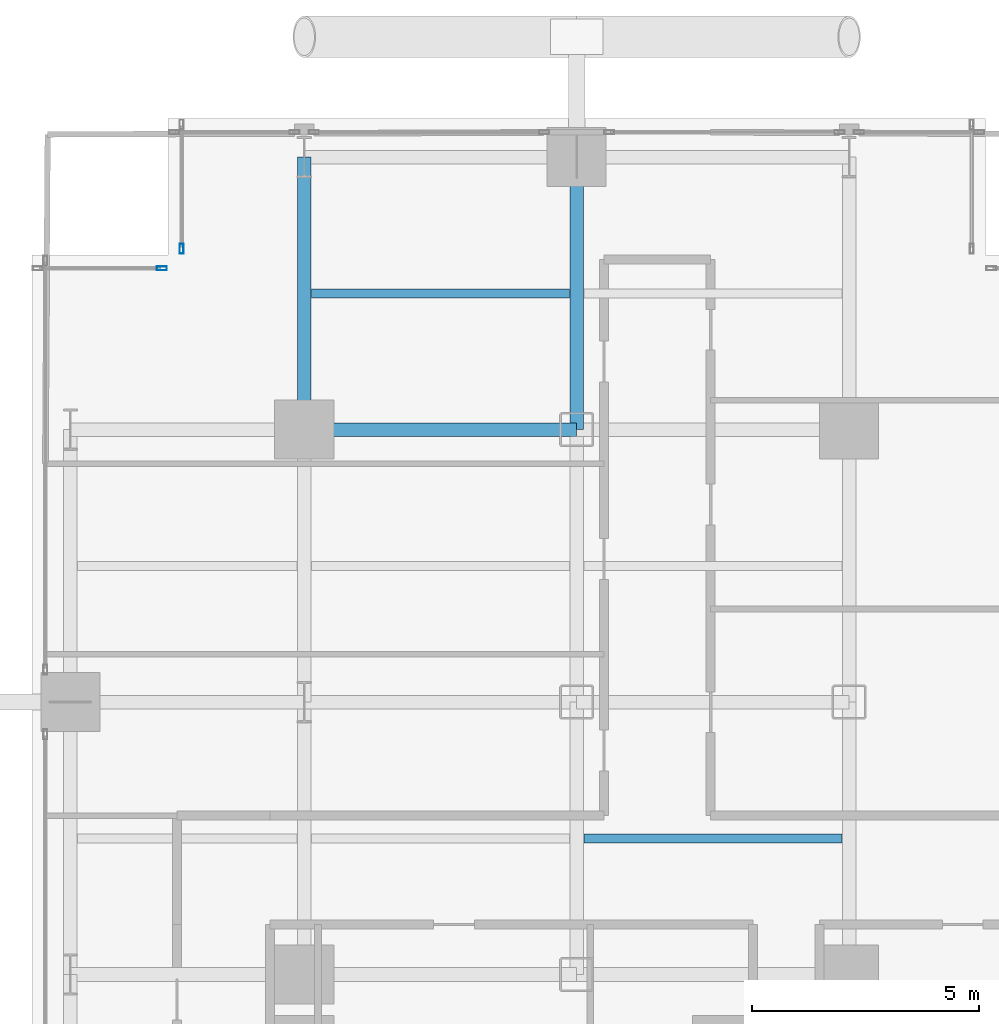
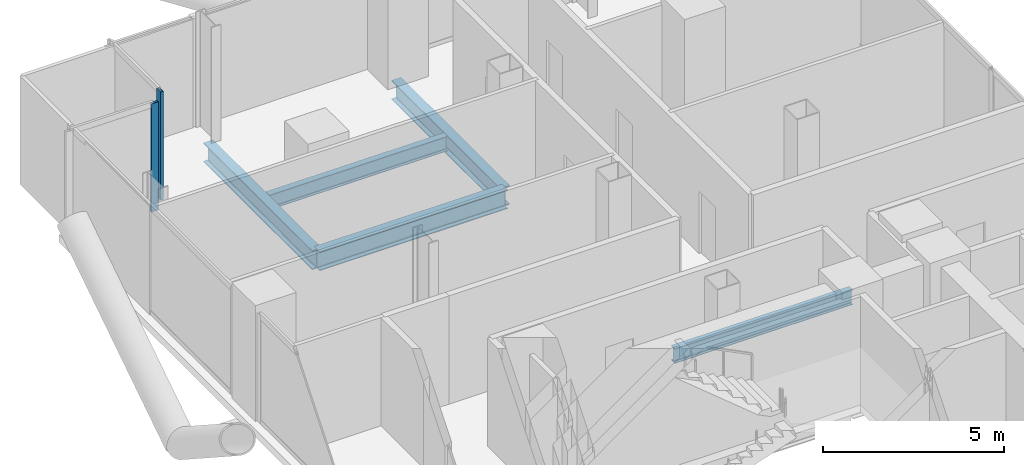
# One storey, part 14 of 25: 5 beams, 2 members, 2 elements without a shape of their own.
"""IFC4 building model written with IfcOpenShell, lengths in metres."""

from ifc_helpers import new_model, si_unit, direction, frame, origin, origin_2d, place, context, subcontext, project, spatial, hollow_rectangle, i_section, extrude, material, layer, layer_set, material_profile, profile_set, type_object, element, aggregate, save


model = new_model("IFC4")

# Units and contexts
model_context = context("Model", 3, precision=1e-05, world=origin(), true_north=direction((0.0, 1.0)))
body_context = subcontext(model_context, "Body", "Model", "MODEL_VIEW")
ifc_project = project(units=[si_unit("LENGTHUNIT", "METRE"), si_unit("AREAUNIT", "SQUARE_METRE"), si_unit("VOLUMEUNIT", "CUBIC_METRE"), si_unit("PLANEANGLEUNIT", "RADIAN"), si_unit("MASSUNIT", "GRAM", prefix="KILO"), si_unit("THERMODYNAMICTEMPERATUREUNIT", "KELVIN"), si_unit("POWERUNIT", "WATT")], contexts=[model_context])

# Site, building, storey
site_placement = place(None, origin())
site = spatial("IfcSite", under=ifc_project, at=site_placement, CompositionType="ELEMENT")
building_placement = place(site_placement, origin())
building = spatial("IfcBuilding", under=site, at=building_placement, Name="Svarakhadi Broadcast Tower", CompositionType="ELEMENT")
storey_placement = place(building_placement, frame((0.0, 0.0, 51.89990234375)))
storey = spatial("IfcBuildingStorey", under=building, at=storey_placement, Name="L11", CompositionType="ELEMENT", Elevation=51.89990234375)

# Beams
ifc_material_1 = material(Name="Steel S355J2 (IS 2062 E350C)", Category="steel")
ifc_material_profile_1 = material_profile(ifc_material_1, i_section(OverallWidth=0.199951171875, OverallDepth=0.5, WebThickness=0.01025390625, FlangeThickness=0.01611328125, FilletRadius=0.02099609375, at=origin_2d()), Name="NPB 500x200x91")
ifc_profile_set_1 = profile_set([ifc_material_profile_1], Name="Steel S355J2 (IS 2062 E350C)")
beam_type_1 = type_object("IfcBeamType", Name="Beam_NPB500", PredefinedType="BEAM", material=ifc_profile_set_1)
for number, where, z_axis, x_axis, name in (
    (1, (6.159912109375, 44.14990234375, -0.5), (1.0, 0.0, 0.0), (0.0, 1.0, 0.0), "L11 Secondary Composite Beam SB012"),
    (2, (12.159912109375, 32.14990234375, -0.5), (1.0, 0.0, 0.0), (0.0, 1.0, 0.0), "L11 Secondary Composite Beam SB016"),
):
    element("IfcBeam", number, at=place(storey_placement, frame(where, z_axis=z_axis, x_axis=x_axis)), inside=storey, type_object=beam_type_1, Name=name, PredefinedType="BEAM", context=body_context, shape_type="SweptSolid", body=[
        extrude(i_section(OverallWidth=0.199951171875, OverallDepth=0.5, WebThickness=0.01025390625, FlangeThickness=0.01611328125, FilletRadius=0.02099609375, at=origin_2d()), origin(), (0.0, 0.0, 1.0), 5.68017578125),
    ])

# Curtain wall, member
ifc_material_2 = material(Name="Anodised Bronze Aluminium AA 6063-T6", Category="aluminium")
ifc_layer = layer(ifc_material_2, 0.219970703125)
ifc_layer_set = layer_set([ifc_layer], Name="Anodised Bronze Aluminium AA 6063-T6")
curtain_wall_type = type_object("IfcCurtainWallType", Name="CW_Sys_02", PredefinedType="NOTDEFINED", material=ifc_layer_set)
curtain_wall_1_placement = place(storey_placement, origin())
curtain_wall_1 = element("IfcCurtainWall", 3, at=curtain_wall_1_placement, inside=storey, type_object=curtain_wall_type, Name="L11 Unitised Facade Curtain Wall 04", PredefinedType="NOTDEFINED")
ifc_material_profile_2 = material_profile(ifc_material_2, hollow_rectangle(XDim=0.0849609375, YDim=0.219970703125, WallThickness=0.006103515625, at=origin_2d()), Name="ALU MULLION 220x85x6")
ifc_profile_set_2 = profile_set([ifc_material_profile_2], Name="Anodised Bronze Aluminium AA 6063-T6")
member_type = type_object("IfcMemberType", Name="CW_Sys_02_Mul", PredefinedType="MULLION", material=ifc_profile_set_2)
member_1_placement = place(storey_placement, frame((2.867431640625, 44.699951171875, 0.0), z_axis=(0.0, 0.0, 1.0), x_axis=(0.0, 1.0, 0.0)))
member_1 = element("IfcMember", 4, at=member_1_placement, type_object=member_type, Name="CW-02 mullion 2", PredefinedType="MULLION", context=body_context, shape_type="SweptSolid", body=[
    extrude(hollow_rectangle(XDim=0.0849609375, YDim=0.219970703125, WallThickness=0.006103515625, at=origin_2d()), origin(), (0.0, 0.0, 1.0), 3.650146484375),
])
aggregate(curtain_wall_1, [member_1])

curtain_wall_2_placement = place(storey_placement, origin())
curtain_wall_2 = element("IfcCurtainWall", 5, at=curtain_wall_2_placement, inside=storey, type_object=curtain_wall_type, Name="L11 Unitised Facade Curtain Wall 05", PredefinedType="NOTDEFINED")
member_2_placement = place(storey_placement, frame((3.300048828125, 45.132568359375, 0.0), z_axis=(0.0, 0.0, 1.0), x_axis=(-1.0, 0.0, 0.0)))
member_2 = element("IfcMember", 6, at=member_2_placement, type_object=member_type, Name="CW-02 mullion 1", PredefinedType="MULLION", context=body_context, shape_type="SweptSolid", body=[
    extrude(hollow_rectangle(XDim=0.0849609375, YDim=0.219970703125, WallThickness=0.006103515625, at=origin_2d()), origin(), (0.0, 0.0, 1.0), 3.650146484375),
])
aggregate(curtain_wall_2, [member_2])

# Beams
ifc_material_profile_3 = material_profile(ifc_material_1, i_section(OverallWidth=0.300048828125, OverallDepth=0.64990234375, WebThickness=0.01611328125, FlangeThickness=0.031005859375, FilletRadius=0.027099609375, at=origin_2d()), Name="WPB 650x300x225")
ifc_profile_set_3 = profile_set([ifc_material_profile_3], Name="Steel S355J2 (IS 2062 E350C)")
beam_type_2 = type_object("IfcBeamType", Name="Girder_WPB650", PredefinedType="USERDEFINED", material=ifc_profile_set_3)
for number, where, z_axis, x_axis, name in (
    (7, (6.0, 41.14990234375, -0.574951171875), (1.0, 0.0, 0.0), (0.0, 1.0, 0.0), "L11 Primary E-W Girder G041"),
    (8, (6.0, 41.14990234375, -0.574951171875), (0.0, 1.0, 0.0), (-1.0, 0.0, 0.0), "L11 Primary N-S Girder G057"),
    (9, (12.0, 41.14990234375, -0.574951171875), (0.0, 1.0, 0.0), (-1.0, 0.0, 0.0), "L11 Primary N-S Girder G063"),
):
    element("IfcBeam", number, at=place(storey_placement, frame(where, z_axis=z_axis, x_axis=x_axis)), inside=storey, type_object=beam_type_2, Name=name, ObjectType="GIRDER", PredefinedType="USERDEFINED", context=body_context, shape_type="SweptSolid", body=[
        extrude(i_section(OverallWidth=0.300048828125, OverallDepth=0.64990234375, WebThickness=0.01611328125, FlangeThickness=0.031005859375, FilletRadius=0.027099609375, at=origin_2d()), origin(), (0.0, 0.0, 1.0), 6.0),
    ])

save(model, "model.ifc")
